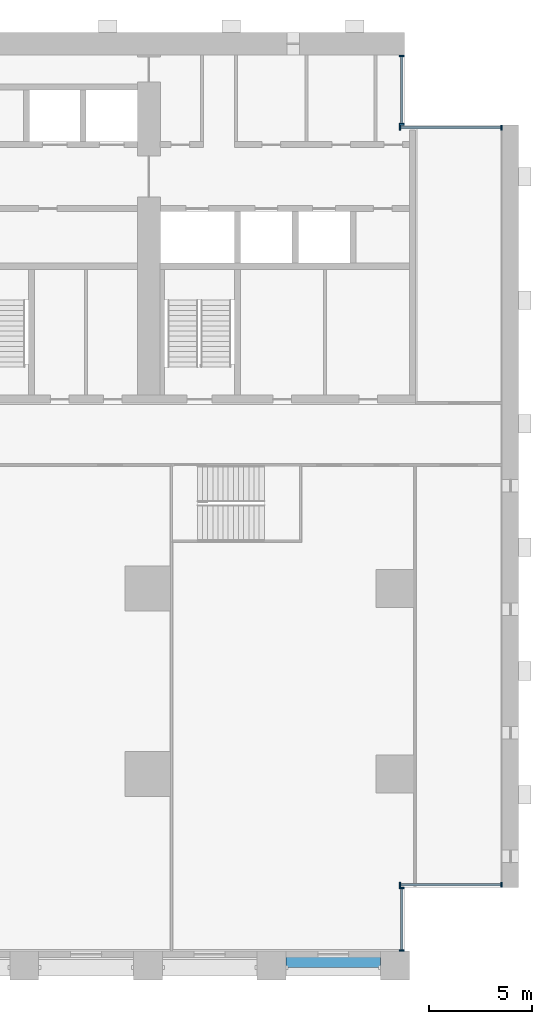
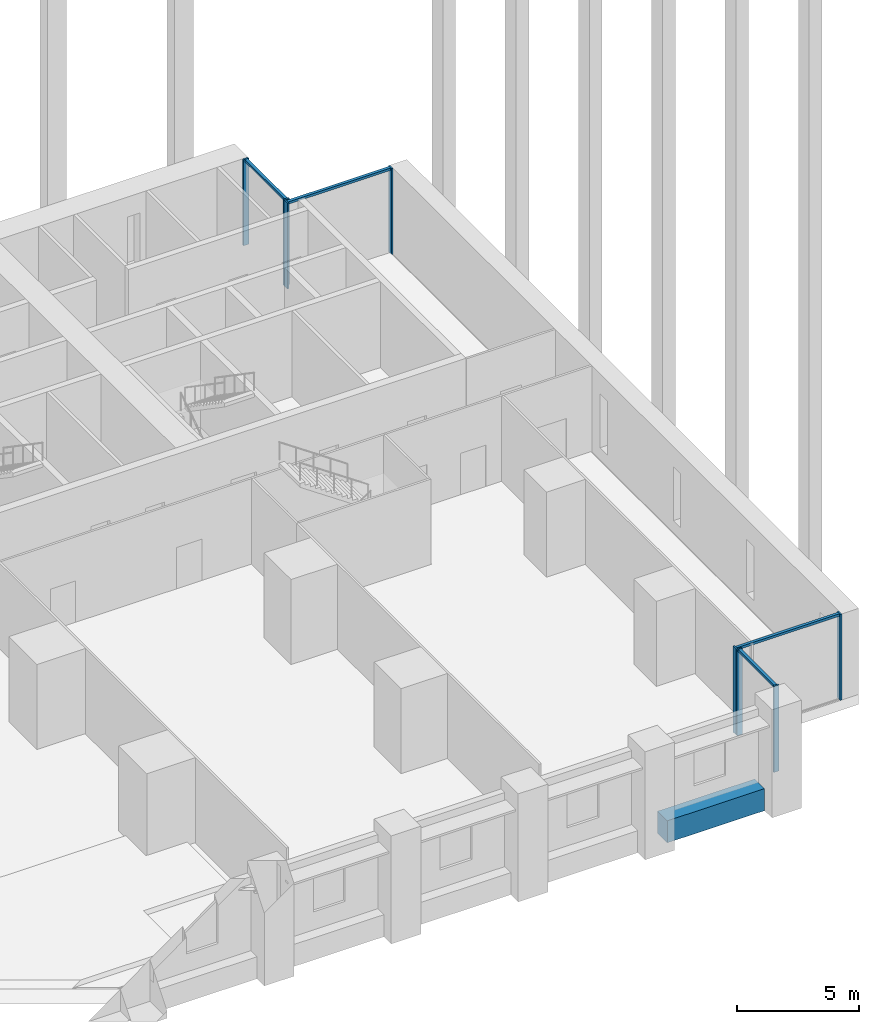
# One storey, part 5 of 17: 12 members, 1 beam, 4 elements without a shape of their own.
"""IFC4 building model written with IfcOpenShell, lengths in metres."""

import ifcopenshell
import ifcopenshell.guid

model = None  # the IFC model being written
_history = None  # IfcOwnerHistory: only IFC2X3 demands one
_inside = {}  # id of a spatial element -> (the spatial element, [elements in it])
_under = {}  # id of a project, library or spatial element -> (it, [spatial elements below it])
_declared = {}  # id of a project -> (the project, [libraries it declares])
_typed = {}  # id of a type object -> (the type object, [elements of that type])
_made_of = {}  # id of a material, layer set ... -> (it, [elements and type objects made of it])


def new_model(schema):
    """Start an empty IFC model of exactly this schema.

    Asked for "IFC4X3", IfcOpenShell would pick the latest addendum, in which some entities
    have other attributes; the version numbers below select the first issue.
    IFC2X3 requires an IfcOwnerHistory on every rooted entity: one is made here for all.
    """
    global model, _history
    if schema == "IFC4X3":
        model = ifcopenshell.file(schema_version=(4, 3, 0, 0))
    else:
        model = ifcopenshell.file(schema=schema)
    _inside.clear()
    _under.clear()
    _declared.clear()
    _typed.clear()
    _made_of.clear()
    _history = None
    if model.schema == "IFC2X3":
        org = make("IfcOrganization", Name="unknown")
        user = make(
            "IfcPersonAndOrganization",
            ThePerson=make("IfcPerson", FamilyName="unknown"),
            TheOrganization=org,
        )
        app = make(
            "IfcApplication",
            ApplicationDeveloper=org,
            Version="unknown",
            ApplicationFullName="unknown",
            ApplicationIdentifier="unknown",
        )
        _history = make(
            "IfcOwnerHistory",
            OwningUser=user,
            OwningApplication=app,
            ChangeAction="ADDED",
            CreationDate=0,
        )
    return model


def make(cls, **values):
    """One entity of the class cls with the attributes given. An attribute that is None is left unset."""
    return model.create_entity(
        cls, **{name: value for name, value in values.items() if value is not None}
    )


def rooted(cls, **values):
    """An entity with a GlobalId (a new one), such as an element, a storey or a relation."""
    return make(cls, GlobalId=ifcopenshell.guid.new(), OwnerHistory=_history, **values)


def si_unit(unit_type, name, prefix=None):
    """IfcSIUnit, for example si_unit("LENGTHUNIT", "METRE", prefix="MILLI")."""
    return make("IfcSIUnit", UnitType=unit_type, Prefix=prefix, Name=name)


def assignment(units):
    """IfcUnitAssignment: the units of a project."""
    return None if units is None else make("IfcUnitAssignment", Units=units)


def point(xyz):
    """IfcCartesianPoint."""
    return None if xyz is None else make("IfcCartesianPoint", Coordinates=xyz)


def direction(xyz):
    """IfcDirection."""
    return None if xyz is None else make("IfcDirection", DirectionRatios=xyz)


def frame(location, z_axis=None, x_axis=None):
    """IfcAxis2Placement3D, a coordinate frame: its origin and axes. An axis left out is left unset."""
    return make(
        "IfcAxis2Placement3D",
        Location=point(location),
        Axis=direction(z_axis),
        RefDirection=direction(x_axis),
    )


def frame_2d(location, x_axis=None):
    """IfcAxis2Placement2D, a coordinate frame in the plane: its origin and x axis."""
    return make(
        "IfcAxis2Placement2D", Location=point(location), RefDirection=direction(x_axis)
    )


def origin():
    """The frame at (0, 0, 0) with its axes left unset."""
    return frame((0.0, 0.0, 0.0))


def origin_2d():
    """The frame at (0, 0) in the plane with its x axis left unset."""
    return frame_2d((0.0, 0.0))


def place(relative_to, where):
    """IfcLocalPlacement: puts the frame where relative to a parent placement (None: the world)."""
    return make(
        "IfcLocalPlacement", PlacementRelTo=relative_to, RelativePlacement=where
    )


def context(
    kind, dimensions, precision=None, world=None, true_north=None, identifier=None
):
    """IfcGeometricRepresentationContext, for example the 3D "Model" context."""
    return make(
        "IfcGeometricRepresentationContext",
        ContextIdentifier=identifier,
        ContextType=kind,
        CoordinateSpaceDimension=dimensions,
        Precision=precision,
        WorldCoordinateSystem=world,
        TrueNorth=true_north,
    )


def subcontext(parent, identifier, kind, view, scale=None):
    """IfcGeometricRepresentationSubContext, for example "Body" below "Model"."""
    return make(
        "IfcGeometricRepresentationSubContext",
        ContextIdentifier=identifier,
        ContextType=kind,
        ParentContext=parent,
        TargetScale=scale,
        TargetView=view,
    )


def project(units=None, contexts=None):
    """IfcProject with its units and contexts."""
    return rooted(
        "IfcProject",
        Name="project",
        RepresentationContexts=contexts,
        UnitsInContext=assignment(units),
    )


def spatial(cls, under=None, at=None, **own):
    """A site, building, storey or space (cls), placed at a placement, below another one or the project."""
    s = rooted(cls, ObjectPlacement=at, **own)
    if under is not None:
        _under.setdefault(under.id(), (under, []))[1].append(s)
    return s


def profile(cls, at=None, kind="AREA", **sizes):
    """A parametric profile (cls). Its sizes go by their IFC names, for example OverallWidth=200.0."""
    return make(cls, ProfileType=kind, Position=at, **sizes)


def rectangle(**sizes):
    """IfcRectangleProfileDef."""
    return profile("IfcRectangleProfileDef", **sizes)


def extrude(swept, where, along, depth):
    """IfcExtrudedAreaSolid: the profile swept, set in the frame where, extruded along a direction by depth."""
    return make(
        "IfcExtrudedAreaSolid",
        SweptArea=swept,
        Position=where,
        ExtrudedDirection=direction(along),
        Depth=depth,
    )


def shape(context_of_items, identifier, shape_type, items):
    """IfcShapeRepresentation: the items that make up one representation, for example the "Body"."""
    return make(
        "IfcShapeRepresentation",
        ContextOfItems=context_of_items,
        RepresentationIdentifier=identifier,
        RepresentationType=shape_type,
        Items=items,
    )


def material(Name=None, Category=None):
    """IfcMaterial."""
    return make("IfcMaterial", Name=Name, Category=Category)


def material_profile(
    of_material, cross_section, Name=None, Category=None, Priority=None
):
    """IfcMaterialProfile: a cross section and its material."""
    return make(
        "IfcMaterialProfile",
        Name=Name,
        Material=of_material,
        Profile=cross_section,
        Priority=Priority,
        Category=Category,
    )


def profile_set(profiles, Name=None, composite=None):
    """IfcMaterialProfileSet."""
    return make(
        "IfcMaterialProfileSet",
        Name=Name,
        MaterialProfiles=profiles,
        CompositeProfile=composite,
    )


def made_of(thing, what):
    """Note that an element or type object is made of a material, layer set ...; save() writes the relation."""
    if what is not None:
        _made_of.setdefault(what.id(), (what, []))[1].append(thing)
    return thing


def type_object(cls, material=None, **own):
    """A type object (cls), such as IfcWallType, which elements share."""
    return made_of(rooted(cls, **own), material)


def element(
    cls,
    number,
    at=None,
    inside=None,
    cuts=None,
    type_object=None,
    material=None,
    context=None,
    identifier="Body",
    shape_type=None,
    held_by="IfcProductDefinitionShape",
    body=None,
    shapes=None,
    **own,
):
    """One element of the class cls, such as IfcWall. Its Tag is "e" and its number.

    at: its placement. inside: the storey or other place that contains it. cuts: it is an
    opening in that element (IfcRelVoidsElement). A single representation is given by context,
    identifier, shape_type and body (its items); several are given by shapes. held_by: the class
    of the entity that holds the representations. save() writes the other relations.
    """
    e = rooted(cls, Tag="e%d" % number, ObjectPlacement=at, **own)
    if body is not None:
        shapes = [shape(context, identifier, shape_type, body)]
    if shapes is not None:
        e.Representation = make(held_by, Representations=shapes)
    if inside is not None:
        _inside.setdefault(inside.id(), (inside, []))[1].append(e)
    if cuts is not None:
        rooted(
            "IfcRelVoidsElement", RelatingBuildingElement=cuts, RelatedOpeningElement=e
        )
    if type_object is not None:
        _typed.setdefault(type_object.id(), (type_object, []))[1].append(e)
    return made_of(e, material)


def aggregate(whole, parts):
    """IfcRelAggregates: a whole, such as a stair, and the parts it consists of."""
    return rooted("IfcRelAggregates", RelatingObject=whole, RelatedObjects=parts)


def save(model, path):
    """Write the relations noted so far, then the file.

    IfcRelAggregates (storeys below a building ...), IfcRelContainedInSpatialStructure (elements
    in a storey), IfcRelDefinesByType, IfcRelAssociatesMaterial and IfcRelDeclares: one each for
    every whole, place, type object, material and project.
    """
    for whole, parts in _under.values():
        aggregate(whole, parts)
    for where, things in _inside.values():
        rooted(
            "IfcRelContainedInSpatialStructure",
            RelatedElements=things,
            RelatingStructure=where,
        )
    for kind, things in _typed.values():
        rooted("IfcRelDefinesByType", RelatedObjects=things, RelatingType=kind)
    for what, things in _made_of.values():
        rooted("IfcRelAssociatesMaterial", RelatedObjects=things, RelatingMaterial=what)
    for by, libraries in _declared.values():
        rooted("IfcRelDeclares", RelatingContext=by, RelatedDefinitions=libraries)
    model.write(path)


model = new_model("IFC4")

# Units and contexts
model_context = context("Model", 3, precision=1e-05, world=origin(), true_north=direction((0.0, 1.0)))
body_context = subcontext(model_context, "Body", "Model", "MODEL_VIEW")
ifc_project = project(units=[si_unit("LENGTHUNIT", "METRE"), si_unit("AREAUNIT", "SQUARE_METRE"), si_unit("VOLUMEUNIT", "CUBIC_METRE"), si_unit("PLANEANGLEUNIT", "RADIAN"), si_unit("MASSUNIT", "GRAM", prefix="KILO")], contexts=[model_context])

# Site, building, storey
site_placement = place(None, origin())
site = spatial("IfcSite", under=ifc_project, at=site_placement, CompositionType="ELEMENT")
building_placement = place(site_placement, origin())
building = spatial("IfcBuilding", under=site, at=building_placement, Name="Calvaro Tower", CompositionType="ELEMENT")
storey_placement = place(building_placement, frame((0.0, 0.0, 6.5)))
storey = spatial("IfcBuildingStorey", under=building, at=storey_placement, Name="L01", CompositionType="ELEMENT", Elevation=6.5)

# Curtain wall, members
ifc_material_1 = material(Name="Anodised aluminium", Category="aluminium")
curtain_wall_type = type_object("IfcCurtainWallType", Name="Restaurant curtain wall", PredefinedType="NOTDEFINED", material=ifc_material_1)
curtain_wall_1_placement = place(storey_placement, origin())
curtain_wall_1 = element("IfcCurtainWall", 1, at=curtain_wall_1_placement, inside=storey, type_object=curtain_wall_type, Name="CW5 corner curtain wall", PredefinedType="NOTDEFINED")
ifc_material_2 = material(Name="Anodised aluminium", Category="aluminium")
ifc_material_profile_1 = material_profile(ifc_material_2, rectangle(XDim=0.25, YDim=0.080078125, at=origin_2d()), Name="Mullion PR 80 x 250")
ifc_profile_set_1 = profile_set([ifc_material_profile_1], Name="Anodised aluminium")
member_type_1 = type_object("IfcMemberType", Name="Mullion PR 80 x 250", PredefinedType="MULLION", material=ifc_profile_set_1)
member_1_placement = place(storey_placement, frame((72.324951171875, 1.43994140625, 0.0), z_axis=(0.0, 0.0, 1.0), x_axis=(-1.0, 0.0, 0.0)))
member_1 = element("IfcMember", 2, at=member_1_placement, type_object=member_type_1, Name="CW5 mullion 1", PredefinedType="MULLION", context=body_context, shape_type="SweptSolid", body=[
    extrude(rectangle(XDim=0.25, YDim=0.080078125, at=origin_2d()), origin(), (0.0, 0.0, 1.0), 4.300048828125),
])
member_2_placement = place(storey_placement, frame((72.324951171875, 4.4599609375, 0.0), z_axis=(0.0, 0.0, 1.0), x_axis=(-1.0, 0.0, 0.0)))
member_2 = element("IfcMember", 3, at=member_2_placement, type_object=member_type_1, Name="CW5 mullion 2", PredefinedType="MULLION", context=body_context, shape_type="SweptSolid", body=[
    extrude(rectangle(XDim=0.25, YDim=0.080078125, at=origin_2d()), origin(), (0.0, 0.0, 1.0), 4.300048828125),
])

curtain_wall_2_placement = place(storey_placement, origin())
curtain_wall_2 = element("IfcCurtainWall", 4, at=curtain_wall_2_placement, inside=storey, type_object=curtain_wall_type, Name="CW5 corner curtain wall", PredefinedType="NOTDEFINED")
member_3_placement = place(storey_placement, frame((72.239990234375, 4.625, 0.0), z_axis=(0.0, 0.0, 1.0), x_axis=(0.0, 1.0, 0.0)))
member_3 = element("IfcMember", 5, at=member_3_placement, type_object=member_type_1, Name="CW5 mullion 1", PredefinedType="MULLION", context=body_context, shape_type="SweptSolid", body=[
    extrude(rectangle(XDim=0.25, YDim=0.080078125, at=origin_2d()), origin(), (0.0, 0.0, 1.0), 4.300048828125),
])
member_4_placement = place(storey_placement, frame((77.159912109375, 4.625, 0.0), z_axis=(0.0, 0.0, 1.0), x_axis=(0.0, 1.0, 0.0)))
member_4 = element("IfcMember", 6, at=member_4_placement, type_object=member_type_1, Name="CW5 mullion 2", PredefinedType="MULLION", context=body_context, shape_type="SweptSolid", body=[
    extrude(rectangle(XDim=0.25, YDim=0.080078125, at=origin_2d()), origin(), (0.0, 0.0, 1.0), 4.300048828125),
])

curtain_wall_3_placement = place(storey_placement, origin())
curtain_wall_3 = element("IfcCurtainWall", 7, at=curtain_wall_3_placement, inside=storey, type_object=curtain_wall_type, Name="CW5 corner curtain wall", PredefinedType="NOTDEFINED")
member_5_placement = place(storey_placement, frame((72.324951171875, 41.5400390625, 0.0), z_axis=(0.0, 0.0, 1.0), x_axis=(-1.0, 0.0, 0.0)))
member_5 = element("IfcMember", 8, at=member_5_placement, type_object=member_type_1, Name="CW5 mullion 1", PredefinedType="MULLION", context=body_context, shape_type="SweptSolid", body=[
    extrude(rectangle(XDim=0.25, YDim=0.080078125, at=origin_2d()), origin(), (0.0, 0.0, 1.0), 4.300048828125),
])
member_6_placement = place(storey_placement, frame((72.324951171875, 44.860107421875, 0.0), z_axis=(0.0, 0.0, 1.0), x_axis=(-1.0, 0.0, 0.0)))
member_6 = element("IfcMember", 9, at=member_6_placement, type_object=member_type_1, Name="CW5 mullion 2", PredefinedType="MULLION", context=body_context, shape_type="SweptSolid", body=[
    extrude(rectangle(XDim=0.25, YDim=0.080078125, at=origin_2d()), origin(), (0.0, 0.0, 1.0), 4.300048828125),
])

curtain_wall_4_placement = place(storey_placement, origin())
curtain_wall_4 = element("IfcCurtainWall", 10, at=curtain_wall_4_placement, inside=storey, type_object=curtain_wall_type, Name="CW5 corner curtain wall", PredefinedType="NOTDEFINED")
member_7_placement = place(storey_placement, frame((72.239990234375, 41.375, 0.0), z_axis=(0.0, 0.0, 1.0), x_axis=(0.0, 1.0, 0.0)))
member_7 = element("IfcMember", 11, at=member_7_placement, type_object=member_type_1, Name="CW5 mullion 1", PredefinedType="MULLION", context=body_context, shape_type="SweptSolid", body=[
    extrude(rectangle(XDim=0.25, YDim=0.080078125, at=origin_2d()), origin(), (0.0, 0.0, 1.0), 4.300048828125),
])
member_8_placement = place(storey_placement, frame((77.159912109375, 41.375, 0.0), z_axis=(0.0, 0.0, 1.0), x_axis=(0.0, 1.0, 0.0)))
member_8 = element("IfcMember", 12, at=member_8_placement, type_object=member_type_1, Name="CW5 mullion 2", PredefinedType="MULLION", context=body_context, shape_type="SweptSolid", body=[
    extrude(rectangle(XDim=0.25, YDim=0.080078125, at=origin_2d()), origin(), (0.0, 0.0, 1.0), 4.300048828125),
])

# Beam
ifc_material_3 = material(Name="Concrete C50/60 precast", Category="concrete")
ifc_material_profile_2 = material_profile(ifc_material_3, rectangle(XDim=0.800048828125, YDim=1.10009765625, at=origin_2d()), Name="RC 800x1100")
ifc_profile_set_2 = profile_set([ifc_material_profile_2], Name="Concrete C50/60 precast")
beam_type = type_object("IfcBeamType", Name="Spandrel beam 800x1100 C50/60", PredefinedType="SPANDREL", material=ifc_profile_set_2)
beam_placement = place(storey_placement, frame((66.699951171875, 1.0, -0.550048828125), z_axis=(1.0, 0.0, 0.0), x_axis=(0.0, 1.0, 0.0)))
element("IfcBeam", 13, at=beam_placement, inside=storey, type_object=beam_type, Name="Spandrel beam", PredefinedType="SPANDREL", context=body_context, shape_type="SweptSolid", body=[
    extrude(rectangle(XDim=0.800048828125, YDim=1.10009765625, at=origin_2d()), origin(), (0.0, 0.0, 1.0), 4.60009765625),
])

# Member
ifc_material_4 = material(Name="Anodised aluminium", Category="aluminium")
ifc_material_profile_3 = material_profile(ifc_material_4, rectangle(XDim=0.139892578125, YDim=0.1201171875, at=origin_2d()), Name="Transom PR 120 x 140")
ifc_profile_set_3 = profile_set([ifc_material_profile_3], Name="Anodised aluminium")
member_type_2 = type_object("IfcMemberType", Name="Transom PR 120 x 140", PredefinedType="USERDEFINED", material=ifc_profile_set_3)
member_9_placement = place(storey_placement, frame((72.324951171875, 1.47998046875, 4.239990234375), z_axis=(0.0, 1.0, 0.0), x_axis=(-1.0, 0.0, 0.0)))
member_9 = element("IfcMember", 14, at=member_9_placement, type_object=member_type_2, Name="CW5 transom 1.1", ObjectType="TRANSOM", PredefinedType="USERDEFINED", context=body_context, shape_type="SweptSolid", body=[
    extrude(rectangle(XDim=0.139892578125, YDim=0.1201171875, at=origin_2d()), origin(), (0.0, 0.0, 1.0), 2.93994140625),
])

aggregate(curtain_wall_1, [member_1, member_2, member_9])

member_10_placement = place(storey_placement, frame((72.280029296875, 4.625, 4.239990234375), z_axis=(1.0, 0.0, 0.0), x_axis=(0.0, 1.0, 0.0)))
member_10 = element("IfcMember", 15, at=member_10_placement, type_object=member_type_2, Name="CW5 transom 1.1", ObjectType="TRANSOM", PredefinedType="USERDEFINED", context=body_context, shape_type="SweptSolid", body=[
    extrude(rectangle(XDim=0.139892578125, YDim=0.1201171875, at=origin_2d()), origin(), (0.0, 0.0, 1.0), 4.840087890625),
])

aggregate(curtain_wall_2, [member_3, member_4, member_10])

member_11_placement = place(storey_placement, frame((72.324951171875, 41.580078125, 4.239990234375), z_axis=(0.0, 1.0, 0.0), x_axis=(-1.0, 0.0, 0.0)))
member_11 = element("IfcMember", 16, at=member_11_placement, type_object=member_type_2, Name="CW5 transom 1.1", ObjectType="TRANSOM", PredefinedType="USERDEFINED", context=body_context, shape_type="SweptSolid", body=[
    extrude(rectangle(XDim=0.139892578125, YDim=0.1201171875, at=origin_2d()), origin(), (0.0, 0.0, 1.0), 3.239990234375),
])

aggregate(curtain_wall_3, [member_5, member_6, member_11])

member_12_placement = place(storey_placement, frame((72.280029296875, 41.375, 4.239990234375), z_axis=(1.0, 0.0, 0.0), x_axis=(0.0, 1.0, 0.0)))
member_12 = element("IfcMember", 17, at=member_12_placement, type_object=member_type_2, Name="CW5 transom 1.1", ObjectType="TRANSOM", PredefinedType="USERDEFINED", context=body_context, shape_type="SweptSolid", body=[
    extrude(rectangle(XDim=0.139892578125, YDim=0.1201171875, at=origin_2d()), origin(), (0.0, 0.0, 1.0), 4.840087890625),
])

aggregate(curtain_wall_4, [member_7, member_8, member_12])

save(model, "model.ifc")
